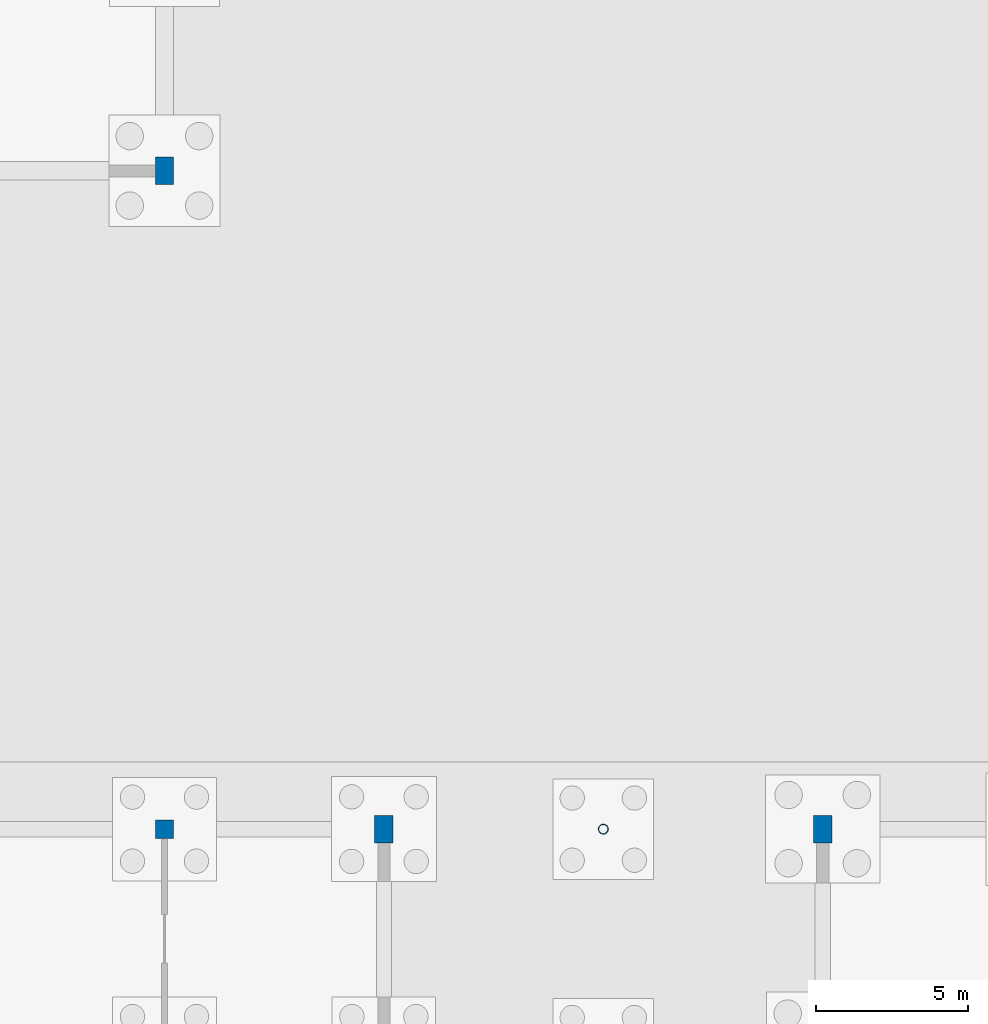
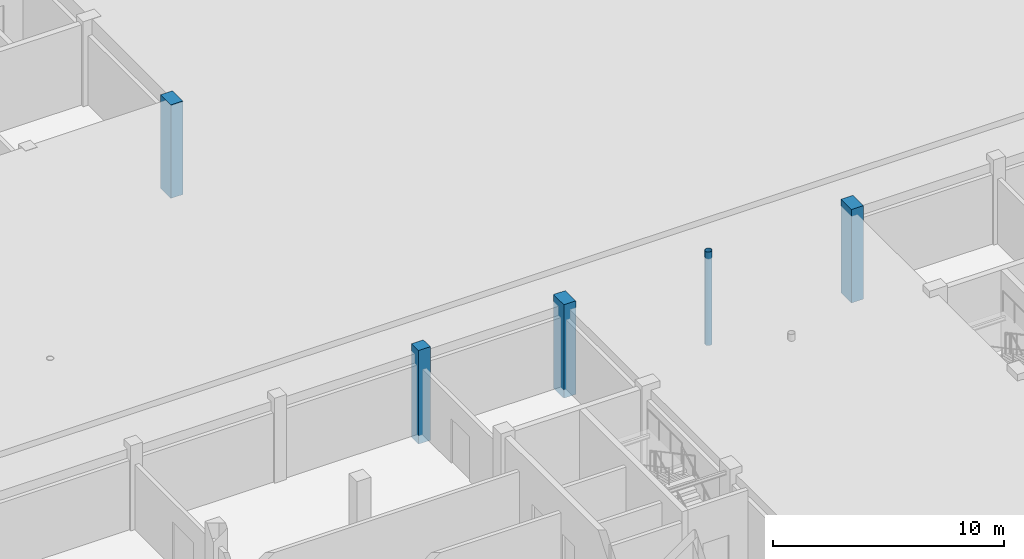
# One storey, part 11 of 51: 5 columns.
"""IFC4 building model written with IfcOpenShell, lengths in metres."""

from ifc_helpers import new_model, si_unit, direction, frame, origin, origin_2d, place, context, subcontext, project, spatial, rectangle, hollow_circle, extrude, material, material_profile, profile_set, type_object, element, save


model = new_model("IFC4")

# Units and contexts
model_context = context("Model", 3, precision=1e-05, world=origin(), true_north=direction((0.0, 1.0)))
body_context = subcontext(model_context, "Body", "Model", "MODEL_VIEW")
ifc_project = project(units=[si_unit("LENGTHUNIT", "METRE"), si_unit("AREAUNIT", "SQUARE_METRE"), si_unit("VOLUMEUNIT", "CUBIC_METRE"), si_unit("PLANEANGLEUNIT", "RADIAN"), si_unit("MASSUNIT", "GRAM", prefix="KILO")], contexts=[model_context])

# Site, building, storey
site_placement = place(None, origin())
site = spatial("IfcSite", under=ifc_project, at=site_placement, CompositionType="ELEMENT")
building_placement = place(site_placement, origin())
building = spatial("IfcBuilding", under=site, at=building_placement, Name="Zlatovets Crest Museum", CompositionType="ELEMENT")
storey_placement = place(building_placement, frame((0.0, 0.0, -4.5)))
storey = spatial("IfcBuildingStorey", under=building, at=storey_placement, Name="B1", CompositionType="ELEMENT", Elevation=-4.5)

# Columns
ifc_material_1 = material(Name="Concrete C35/45", Category="concrete")
ifc_material_profile_1 = material_profile(ifc_material_1, rectangle(XDim=0.60009765625, YDim=0.60009765625, at=origin_2d()), Name="RC 600x600")
ifc_profile_set_1 = profile_set([ifc_material_profile_1], Name="Concrete C35/45")
column_type_1 = type_object("IfcColumnType", Name="Col_C-02", PredefinedType="COLUMN", material=ifc_profile_set_1)
column_1_placement = place(storey_placement, frame((36.0, 28.800048828125, -0.449951171875), z_axis=(0.0, 0.0, 1.0), x_axis=(0.0, 1.0, 0.0)))
element("IfcColumn", 1, at=column_1_placement, inside=storey, type_object=column_type_1, Name="V3 B1 Column (36.0, 28.8)", PredefinedType="COLUMN", context=body_context, shape_type="SweptSolid", body=[
    extrude(rectangle(XDim=0.60009765625, YDim=0.60009765625, at=origin_2d()), origin(), (0.0, 0.0, 1.0), 4.949951171875),
])
ifc_material_profile_2 = material_profile(ifc_material_1, rectangle(XDim=0.60009765625, YDim=0.89990234375, at=origin_2d()), Name="RC 600x900")
ifc_profile_set_2 = profile_set([ifc_material_profile_2], Name="Concrete C35/45")
column_type_2 = type_object("IfcColumnType", Name="Col_C-03", PredefinedType="PILASTER", material=ifc_profile_set_2)
for number, where, z_axis, x_axis, name in (
    (2, (57.60009765625, 28.800048828125, -0.449951171875), (0.0, 0.0, 1.0), (1.0, 0.0, 0.0), "V2 B1 Column (57.6, 28.8)"),
    (3, (43.199951171875, 28.800048828125, -0.449951171875), (0.0, 0.0, 1.0), (1.0, 0.0, 0.0), "V3 B1 Column (43.2, 28.8)"),
    (4, (36.0, 50.39990234375, -0.449951171875), (0.0, 0.0, 1.0), (1.0, 0.0, 0.0), "V4 B1 Column (36.0, 50.4)"),
):
    element("IfcColumn", number, at=place(storey_placement, frame(where, z_axis=z_axis, x_axis=x_axis)), inside=storey, type_object=column_type_2, Name=name, PredefinedType="PILASTER", context=body_context, shape_type="SweptSolid", body=[
        extrude(rectangle(XDim=0.60009765625, YDim=0.89990234375, at=origin_2d()), origin(), (0.0, 0.0, 1.0), 4.949951171875),
    ])
ifc_material_2 = material(Name="Structural steel S355J2", Category="steel")
ifc_material_profile_3 = material_profile(ifc_material_2, hollow_circle(Radius=0.161865234375, WallThickness=0.012451171875, at=origin_2d()), Name="CHS 323.9x12.5")
ifc_profile_set_3 = profile_set([ifc_material_profile_3], Name="Structural steel S355J2")
column_type_3 = type_object("IfcColumnType", Name="Col_C-13", PredefinedType="COLUMN", material=ifc_profile_set_3)
column_2_placement = place(storey_placement, frame((50.39990234375, 28.800048828125, -0.449951171875), z_axis=(0.0, 0.0, 1.0), x_axis=(1.0, 0.0, 0.0)))
element("IfcColumn", 5, at=column_2_placement, inside=storey, type_object=column_type_3, Name="South Forecourt Glazed Link Bridge Portal Column", PredefinedType="COLUMN", context=body_context, shape_type="SweptSolid", body=[
    extrude(hollow_circle(Radius=0.161865234375, WallThickness=0.012451171875, at=origin_2d()), origin(), (0.0, 0.0, 1.0), 4.949951171875),
])

save(model, "model.ifc")
